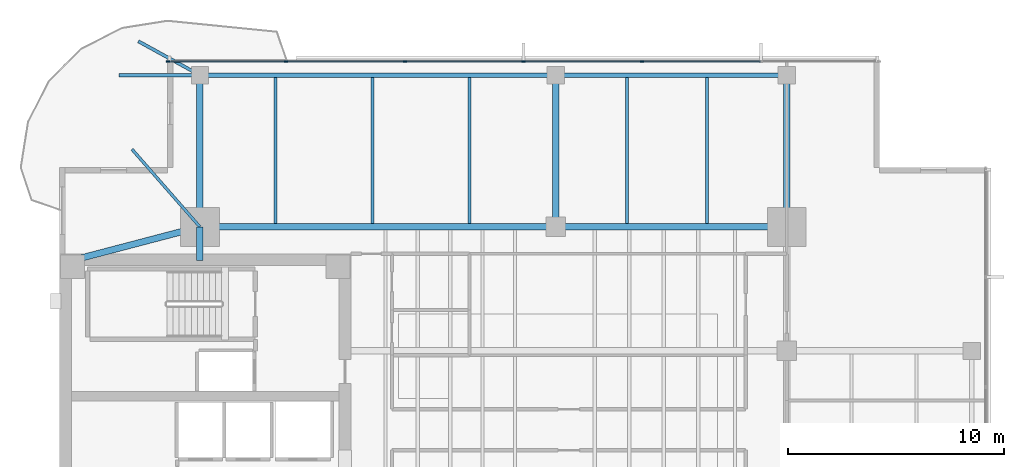
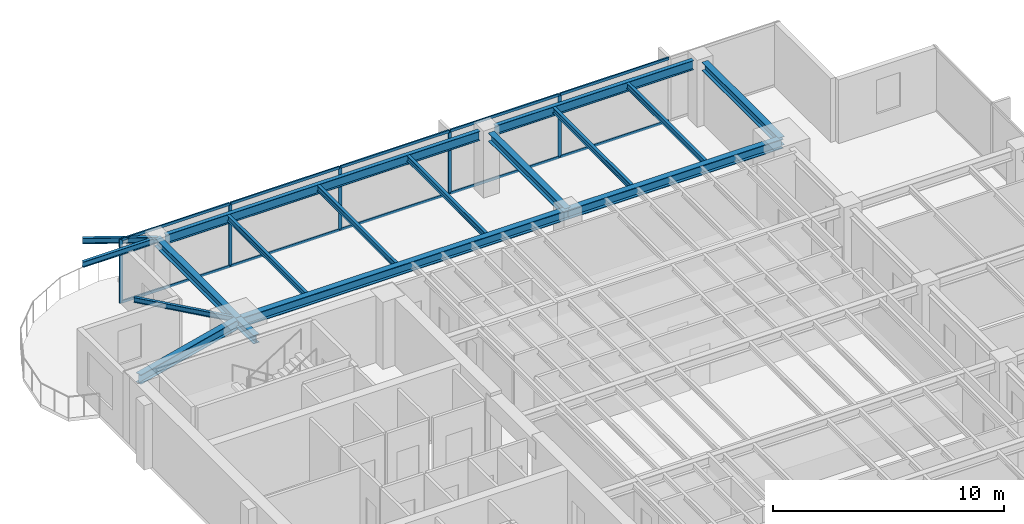
# One storey, part 5 of 14: 17 beams, 15 members, 1 element without a shape of its own.
"""IFC4 building model written with IfcOpenShell, lengths in metres."""

from ifc_helpers import new_model, si_unit, direction, frame, origin, origin_2d, place, context, subcontext, project, spatial, rectangle, i_section, extrude, material, layer, layer_set, material_profile, profile_set, type_object, element, aggregate, save


model = new_model("IFC4")

# Units and contexts
model_context = context("Model", 3, precision=1e-05, world=origin(), true_north=direction((0.0, 1.0)))
body_context = subcontext(model_context, "Body", "Model", "MODEL_VIEW")
ifc_project = project(units=[si_unit("LENGTHUNIT", "METRE"), si_unit("AREAUNIT", "SQUARE_METRE"), si_unit("VOLUMEUNIT", "CUBIC_METRE"), si_unit("PLANEANGLEUNIT", "RADIAN"), si_unit("MASSUNIT", "GRAM", prefix="KILO")], contexts=[model_context])

# Site, building, storey
site_placement = place(None, origin())
site = spatial("IfcSite", under=ifc_project, at=site_placement, CompositionType="ELEMENT")
building_placement = place(site_placement, origin())
building = spatial("IfcBuilding", under=site, at=building_placement, Name="Kinhvarn Gate Tower", CompositionType="ELEMENT")
storey_placement = place(building_placement, frame((0.0, 0.0, 205.800048828125)))
storey = spatial("IfcBuildingStorey", under=building, at=storey_placement, Name="L54", CompositionType="ELEMENT", Elevation=205.800048828125)

# Curtain wall, members
ifc_material_1 = material(Name="Anodised aluminium AW-6063", Category="aluminium")
ifc_layer = layer(ifc_material_1, 0.179931640625)
ifc_layer_set = layer_set([ifc_layer], Name="Anodised aluminium AW-6063")
curtain_wall_type = type_object("IfcCurtainWallType", Name="CW-SYS-3", PredefinedType="NOTDEFINED", material=ifc_layer_set)
curtain_wall_placement = place(storey_placement, origin())
curtain_wall = element("IfcCurtainWall", 1, at=curtain_wall_placement, inside=storey, type_object=curtain_wall_type, Name="Curtain Wall CW3 (L54)", PredefinedType="NOTDEFINED")
ifc_material_profile_1 = material_profile(ifc_material_1, rectangle(XDim=0.06494140625, YDim=0.159912109375, at=origin_2d()), Name="ALU 65x160")
ifc_profile_set_1 = profile_set([ifc_material_profile_1], Name="Anodised aluminium AW-6063")
member_type_1 = type_object("IfcMemberType", Name="CW-MUL-160", PredefinedType="MULLION", material=ifc_profile_set_1)
member_1_placement = place(storey_placement, frame((31.5, 45.409912109375, 0.0), z_axis=(0.0, 0.0, 1.0), x_axis=(0.0, -1.0, 0.0)))
member_1 = element("IfcMember", 2, at=member_1_placement, type_object=member_type_1, Name="CW3 mullion 3", PredefinedType="MULLION", context=body_context, shape_type="SweptSolid", body=[
    extrude(rectangle(XDim=0.06494140625, YDim=0.159912109375, at=origin_2d()), origin(), (0.0, 0.0, 1.0), 3.369873046875),
])
member_2_placement = place(storey_placement, frame((26.0, 45.409912109375, 0.0), z_axis=(0.0, 0.0, 1.0), x_axis=(0.0, -1.0, 0.0)))
member_2 = element("IfcMember", 3, at=member_2_placement, type_object=member_type_1, Name="CW3 mullion 4", PredefinedType="MULLION", context=body_context, shape_type="SweptSolid", body=[
    extrude(rectangle(XDim=0.06494140625, YDim=0.159912109375, at=origin_2d()), origin(), (0.0, 0.0, 1.0), 3.369873046875),
])
member_3_placement = place(storey_placement, frame((20.5, 45.409912109375, 0.0), z_axis=(0.0, 0.0, 1.0), x_axis=(0.0, -1.0, 0.0)))
member_3 = element("IfcMember", 4, at=member_3_placement, type_object=member_type_1, Name="CW3 mullion 5", PredefinedType="MULLION", context=body_context, shape_type="SweptSolid", body=[
    extrude(rectangle(XDim=0.06494140625, YDim=0.159912109375, at=origin_2d()), origin(), (0.0, 0.0, 1.0), 3.369873046875),
])
member_4_placement = place(storey_placement, frame((15.0, 45.409912109375, 0.0), z_axis=(0.0, 0.0, 1.0), x_axis=(0.0, -1.0, 0.0)))
member_4 = element("IfcMember", 5, at=member_4_placement, type_object=member_type_1, Name="CW3 mullion 6", PredefinedType="MULLION", context=body_context, shape_type="SweptSolid", body=[
    extrude(rectangle(XDim=0.06494140625, YDim=0.159912109375, at=origin_2d()), origin(), (0.0, 0.0, 1.0), 3.369873046875),
])
member_5_placement = place(storey_placement, frame((9.532470703125, 45.409912109375, 0.0), z_axis=(0.0, 0.0, 1.0), x_axis=(0.0, -1.0, 0.0)))
member_5 = element("IfcMember", 6, at=member_5_placement, type_object=member_type_1, Name="CW3 mullion 7", PredefinedType="MULLION", context=body_context, shape_type="SweptSolid", body=[
    extrude(rectangle(XDim=0.06494140625, YDim=0.159912109375, at=origin_2d()), origin(), (0.0, 0.0, 1.0), 3.369873046875),
])
ifc_material_profile_2 = material_profile(ifc_material_1, rectangle(XDim=0.070068359375, YDim=0.139892578125, at=origin_2d()), Name="ALU 70x140")
ifc_profile_set_2 = profile_set([ifc_material_profile_2], Name="Anodised aluminium AW-6063")
member_type_2 = type_object("IfcMemberType", Name="CW-TRN-140", PredefinedType="USERDEFINED", material=ifc_profile_set_2)
member_6_placement = place(storey_placement, frame((36.967529296875, 45.409912109375, 0.034912109375), z_axis=(-1.0, 0.0, 0.0), x_axis=(0.0, -1.0, 0.0)))
member_6 = element("IfcMember", 7, at=member_6_placement, type_object=member_type_2, Name="CW3 transom 2.1", ObjectType="TRANSOM", PredefinedType="USERDEFINED", context=body_context, shape_type="SweptSolid", body=[
    extrude(rectangle(XDim=0.070068359375, YDim=0.139892578125, at=origin_2d()), origin(), (0.0, 0.0, 1.0), 5.43505859375),
])
member_7_placement = place(storey_placement, frame((36.967529296875, 45.409912109375, 3.3349609375), z_axis=(-1.0, 0.0, 0.0), x_axis=(0.0, -1.0, 0.0)))
member_7 = element("IfcMember", 8, at=member_7_placement, type_object=member_type_2, Name="CW3 transom 2.2", ObjectType="TRANSOM", PredefinedType="USERDEFINED", context=body_context, shape_type="SweptSolid", body=[
    extrude(rectangle(XDim=0.070068359375, YDim=0.139892578125, at=origin_2d()), origin(), (0.0, 0.0, 1.0), 5.43505859375),
])
member_8_placement = place(storey_placement, frame((31.467529296875, 45.409912109375, 0.034912109375), z_axis=(-1.0, 0.0, 0.0), x_axis=(0.0, -1.0, 0.0)))
member_8 = element("IfcMember", 9, at=member_8_placement, type_object=member_type_2, Name="CW3 transom 3.1", ObjectType="TRANSOM", PredefinedType="USERDEFINED", context=body_context, shape_type="SweptSolid", body=[
    extrude(rectangle(XDim=0.070068359375, YDim=0.139892578125, at=origin_2d()), origin(), (0.0, 0.0, 1.0), 5.43505859375),
])
member_9_placement = place(storey_placement, frame((31.467529296875, 45.409912109375, 3.3349609375), z_axis=(-1.0, 0.0, 0.0), x_axis=(0.0, -1.0, 0.0)))
member_9 = element("IfcMember", 10, at=member_9_placement, type_object=member_type_2, Name="CW3 transom 3.2", ObjectType="TRANSOM", PredefinedType="USERDEFINED", context=body_context, shape_type="SweptSolid", body=[
    extrude(rectangle(XDim=0.070068359375, YDim=0.139892578125, at=origin_2d()), origin(), (0.0, 0.0, 1.0), 5.43505859375),
])
member_10_placement = place(storey_placement, frame((25.967529296875, 45.409912109375, 0.034912109375), z_axis=(-1.0, 0.0, 0.0), x_axis=(0.0, -1.0, 0.0)))
member_10 = element("IfcMember", 11, at=member_10_placement, type_object=member_type_2, Name="CW3 transom 4.1", ObjectType="TRANSOM", PredefinedType="USERDEFINED", context=body_context, shape_type="SweptSolid", body=[
    extrude(rectangle(XDim=0.070068359375, YDim=0.139892578125, at=origin_2d()), origin(), (0.0, 0.0, 1.0), 5.43505859375),
])
member_11_placement = place(storey_placement, frame((25.967529296875, 45.409912109375, 3.3349609375), z_axis=(-1.0, 0.0, 0.0), x_axis=(0.0, -1.0, 0.0)))
member_11 = element("IfcMember", 12, at=member_11_placement, type_object=member_type_2, Name="CW3 transom 4.2", ObjectType="TRANSOM", PredefinedType="USERDEFINED", context=body_context, shape_type="SweptSolid", body=[
    extrude(rectangle(XDim=0.070068359375, YDim=0.139892578125, at=origin_2d()), origin(), (0.0, 0.0, 1.0), 5.43505859375),
])
member_12_placement = place(storey_placement, frame((20.467529296875, 45.409912109375, 0.034912109375), z_axis=(-1.0, 0.0, 0.0), x_axis=(0.0, -1.0, 0.0)))
member_12 = element("IfcMember", 13, at=member_12_placement, type_object=member_type_2, Name="CW3 transom 5.1", ObjectType="TRANSOM", PredefinedType="USERDEFINED", context=body_context, shape_type="SweptSolid", body=[
    extrude(rectangle(XDim=0.070068359375, YDim=0.139892578125, at=origin_2d()), origin(), (0.0, 0.0, 1.0), 5.43505859375),
])
member_13_placement = place(storey_placement, frame((20.467529296875, 45.409912109375, 3.3349609375), z_axis=(-1.0, 0.0, 0.0), x_axis=(0.0, -1.0, 0.0)))
member_13 = element("IfcMember", 14, at=member_13_placement, type_object=member_type_2, Name="CW3 transom 5.2", ObjectType="TRANSOM", PredefinedType="USERDEFINED", context=body_context, shape_type="SweptSolid", body=[
    extrude(rectangle(XDim=0.070068359375, YDim=0.139892578125, at=origin_2d()), origin(), (0.0, 0.0, 1.0), 5.43505859375),
])
member_14_placement = place(storey_placement, frame((14.967529296875, 45.409912109375, 0.034912109375), z_axis=(-1.0, 0.0, 0.0), x_axis=(0.0, -1.0, 0.0)))
member_14 = element("IfcMember", 15, at=member_14_placement, type_object=member_type_2, Name="CW3 transom 6.1", ObjectType="TRANSOM", PredefinedType="USERDEFINED", context=body_context, shape_type="SweptSolid", body=[
    extrude(rectangle(XDim=0.070068359375, YDim=0.139892578125, at=origin_2d()), origin(), (0.0, 0.0, 1.0), 5.402587890625),
])
member_15_placement = place(storey_placement, frame((14.967529296875, 45.409912109375, 3.3349609375), z_axis=(-1.0, 0.0, 0.0), x_axis=(0.0, -1.0, 0.0)))
member_15 = element("IfcMember", 16, at=member_15_placement, type_object=member_type_2, Name="CW3 transom 6.2", ObjectType="TRANSOM", PredefinedType="USERDEFINED", context=body_context, shape_type="SweptSolid", body=[
    extrude(rectangle(XDim=0.070068359375, YDim=0.139892578125, at=origin_2d()), origin(), (0.0, 0.0, 1.0), 5.402587890625),
])
aggregate(curtain_wall, [member_1, member_2, member_3, member_4, member_5, member_6, member_7, member_8, member_9, member_10, member_11, member_12, member_13, member_14, member_15])

# Beams
ifc_material_2 = material(Name="Steel S355", Category="steel")
ifc_material_profile_3 = material_profile(ifc_material_2, i_section(OverallWidth=0.300048828125, OverallDepth=0.449951171875, WebThickness=0.013916015625, FlangeThickness=0.02587890625, at=origin_2d()), Name="HEB 450")
ifc_profile_set_3 = profile_set([ifc_material_profile_3], Name="Steel S355")
beam_type_1 = type_object("IfcBeamType", Name="STL-HEB450", PredefinedType="BEAM", material=ifc_profile_set_3)
beam_1_placement = place(storey_placement, frame((11.0, 36.199951171875, 3.14501953125), z_axis=(0.0, 1.0, 0.0), x_axis=(-1.0, 0.0, 0.0)))
element("IfcBeam", 17, at=beam_1_placement, inside=storey, type_object=beam_type_1, Name="Floor Beam PG-13 (L54 MCW-CN)", PredefinedType="BEAM", context=body_context, shape_type="SweptSolid", body=[
    extrude(i_section(OverallWidth=0.300048828125, OverallDepth=0.449951171875, WebThickness=0.013916015625, FlangeThickness=0.02587890625, at=origin_2d()), origin(), (0.0, 0.0, 1.0), 1.550048828125),
])
beam_2_placement = place(storey_placement, frame((11.0, 37.75, 3.14501953125), z_axis=(0.0, 1.0, 0.0), x_axis=(-1.0, 0.0, 0.0)))
element("IfcBeam", 18, at=beam_2_placement, inside=storey, type_object=beam_type_1, Name="Floor Beam PG-13 (L54 MCW-N)", PredefinedType="BEAM", context=body_context, shape_type="SweptSolid", body=[
    extrude(i_section(OverallWidth=0.300048828125, OverallDepth=0.449951171875, WebThickness=0.013916015625, FlangeThickness=0.02587890625, at=origin_2d()), origin(), (0.0, 0.0, 1.0), 7.030029296875),
])
for number, where, z_axis, x_axis, name in (
    (19, (27.5, 37.75, 3.14501953125), (0.0, 1.0, 0.0), (-1.0, 0.0, 0.0), "Floor Beam PG-13 (L54 SP27-N-TIE)"),
    (20, (38.199951171875, 37.75, 3.14501953125), (0.0, 1.0, 0.0), (-1.0, 0.0, 0.0), "Floor Beam PG-13 (L54 MCE-N)"),
):
    element("IfcBeam", number, at=place(storey_placement, frame(where, z_axis=z_axis, x_axis=x_axis)), inside=storey, type_object=beam_type_1, Name=name, PredefinedType="BEAM", context=body_context, shape_type="SweptSolid", body=[
        extrude(i_section(OverallWidth=0.300048828125, OverallDepth=0.449951171875, WebThickness=0.013916015625, FlangeThickness=0.02587890625, at=origin_2d()), origin(), (0.0, 0.0, 1.0), 6.64501953125),
    ])
ifc_material_profile_4 = material_profile(ifc_material_2, i_section(OverallWidth=0.300048828125, OverallDepth=0.5, WebThickness=0.014404296875, FlangeThickness=0.028076171875, at=origin_2d()), Name="HEB 500")
ifc_profile_set_4 = profile_set([ifc_material_profile_4], Name="Steel S355")
beam_type_2 = type_object("IfcBeamType", Name="STL-HEB500", PredefinedType="BEAM", material=ifc_profile_set_4)
beam_3_placement = place(storey_placement, frame((11.0, 37.75, 3.119873046875), z_axis=(1.0, 0.0, 0.0), x_axis=(0.0, 1.0, 0.0)))
element("IfcBeam", 21, at=beam_3_placement, inside=storey, type_object=beam_type_2, Name="Floor Beam PG-14 (L54 MG-N1)", PredefinedType="BEAM", context=body_context, shape_type="SweptSolid", body=[
    extrude(i_section(OverallWidth=0.300048828125, OverallDepth=0.5, WebThickness=0.014404296875, FlangeThickness=0.028076171875, at=origin_2d()), origin(), (0.0, 0.0, 1.0), 16.5),
])
beam_4_placement = place(storey_placement, frame((27.5, 37.75, 3.119873046875), z_axis=(1.0, 0.0, 0.0), x_axis=(0.0, 1.0, 0.0)))
element("IfcBeam", 22, at=beam_4_placement, inside=storey, type_object=beam_type_2, Name="Floor Beam PG-14 (L54 MG-N2)", PredefinedType="BEAM", context=body_context, shape_type="SweptSolid", body=[
    extrude(i_section(OverallWidth=0.300048828125, OverallDepth=0.5, WebThickness=0.014404296875, FlangeThickness=0.028076171875, at=origin_2d()), origin(), (0.0, 0.0, 1.0), 10.699951171875),
])
beam_5_placement = place(storey_placement, frame((5.10009765625, 36.199951171875, 3.119873046875), z_axis=(0.967177623957, 0.254101246979, 0.0), x_axis=(-0.254101246979, 0.967177623957, 0.0)))
element("IfcBeam", 23, at=beam_5_placement, inside=storey, type_object=beam_type_2, Name="Floor Beam PG-14 (L54 MG-NW-DIAG)", PredefinedType="BEAM", context=body_context, shape_type="SweptSolid", body=[
    extrude(i_section(OverallWidth=0.300048828125, OverallDepth=0.5, WebThickness=0.014404296875, FlangeThickness=0.028076171875, at=origin_2d()), origin(), (0.0, 0.0, 1.0), 6.10009765625),
])
ifc_material_profile_5 = material_profile(ifc_material_2, i_section(OverallWidth=0.135009765625, OverallDepth=0.27001953125, WebThickness=0.006591796875, FlangeThickness=0.01025390625, at=origin_2d()), Name="IPE 270")
ifc_profile_set_5 = profile_set([ifc_material_profile_5], Name="Steel S355")
beam_type_3 = type_object("IfcBeamType", Name="STL-IPE270", PredefinedType="JOIST", material=ifc_profile_set_5)
beam_6_placement = place(storey_placement, frame((11.0, 37.75, 3.23486328125), z_axis=(-0.658482928045, 0.752595664001, 0.0), x_axis=(-0.752595664001, -0.658482928045, 0.0)))
element("IfcBeam", 24, at=beam_6_placement, inside=storey, type_object=beam_type_3, Name="Floor Joist SB-01 (L54 BAL-B3-L55)", PredefinedType="JOIST", context=body_context, shape_type="SweptSolid", body=[
    extrude(i_section(OverallWidth=0.135009765625, OverallDepth=0.27001953125, WebThickness=0.006591796875, FlangeThickness=0.01025390625, at=origin_2d()), origin(), (0.0, 0.0, 1.0), 4.78369140625),
])
ifc_material_profile_6 = material_profile(ifc_material_2, i_section(OverallWidth=0.14990234375, OverallDepth=0.300048828125, WebThickness=0.007080078125, FlangeThickness=0.0107421875, at=origin_2d()), Name="IPE 300")
ifc_profile_set_6 = profile_set([ifc_material_profile_6], Name="Steel S355")
beam_type_4 = type_object("IfcBeamType", Name="STL-IPE300", PredefinedType="JOIST", material=ifc_profile_set_6)
for number, where, z_axis, x_axis, name in (
    (25, (14.5, 37.89990234375, 3.219970703125), (0.0, 1.0, 0.0), (-1.0, 0.0, 0.0), "Floor Joist SB-02 (L54 JN-X145)"),
    (26, (19.0, 37.89990234375, 3.219970703125), (0.0, 1.0, 0.0), (-1.0, 0.0, 0.0), "Floor Joist SB-02 (L54 JN-X190)"),
    (27, (23.5, 37.89990234375, 3.219970703125), (0.0, 1.0, 0.0), (-1.0, 0.0, 0.0), "Floor Joist SB-02 (L54 JN-X235)"),
    (28, (30.800048828125, 37.89990234375, 3.219970703125), (0.0, 1.0, 0.0), (-1.0, 0.0, 0.0), "Floor Joist SB-02 (L54 JN-X308)"),
    (29, (34.5, 37.89990234375, 3.219970703125), (0.0, 1.0, 0.0), (-1.0, 0.0, 0.0), "Floor Joist SB-02 (L54 JN-X345)"),
):
    element("IfcBeam", number, at=place(storey_placement, frame(where, z_axis=z_axis, x_axis=x_axis)), inside=storey, type_object=beam_type_4, Name=name, PredefinedType="JOIST", context=body_context, shape_type="SweptSolid", body=[
        extrude(i_section(OverallWidth=0.14990234375, OverallDepth=0.300048828125, WebThickness=0.007080078125, FlangeThickness=0.0107421875, at=origin_2d()), origin(), (0.0, 0.0, 1.0), 6.780029296875),
    ])
beam_7_placement = place(storey_placement, frame((11.0, 44.780029296875, 3.219970703125), z_axis=(-1.0, 0.0, 0.0), x_axis=(0.0, -1.0, 0.0)))
element("IfcBeam", 30, at=beam_7_placement, inside=storey, type_object=beam_type_4, Name="Floor Joist SB-02 (L54 BAL-B1-L55)", PredefinedType="JOIST", context=body_context, shape_type="SweptSolid", body=[
    extrude(i_section(OverallWidth=0.14990234375, OverallDepth=0.300048828125, WebThickness=0.007080078125, FlangeThickness=0.0107421875, at=origin_2d()), origin(), (0.0, 0.0, 1.0), 3.75),
])
beam_8_placement = place(storey_placement, frame((11.0, 44.780029296875, 3.219970703125), z_axis=(-0.875889381738, 0.482511959394, 0.0), x_axis=(-0.482511959394, -0.875889381738, 0.0)))
element("IfcBeam", 31, at=beam_8_placement, inside=storey, type_object=beam_type_4, Name="Floor Joist SB-02 (L54 BAL-B2-L55)", PredefinedType="JOIST", context=body_context, shape_type="SweptSolid", body=[
    extrude(i_section(OverallWidth=0.14990234375, OverallDepth=0.300048828125, WebThickness=0.007080078125, FlangeThickness=0.0107421875, at=origin_2d()), origin(), (0.0, 0.0, 1.0), 3.25390625),
])
ifc_material_profile_7 = material_profile(ifc_material_2, i_section(OverallWidth=0.199951171875, OverallDepth=0.5, WebThickness=0.01025390625, FlangeThickness=0.01611328125, at=origin_2d()), Name="IPE 500")
ifc_profile_set_7 = profile_set([ifc_material_profile_7], Name="Steel S355")
beam_type_5 = type_object("IfcBeamType", Name="STL-IPE500", PredefinedType="SPANDREL", material=ifc_profile_set_7)
beam_9_placement = place(storey_placement, frame((11.385009765625, 44.780029296875, 3.119873046875), z_axis=(1.0, 0.0, 0.0), x_axis=(0.0, 1.0, 0.0)))
element("IfcBeam", 32, at=beam_9_placement, inside=storey, type_object=beam_type_5, Name="Floor Spandrel SB-07 (L54 SP-N1)", PredefinedType="SPANDREL", context=body_context, shape_type="SweptSolid", body=[
    extrude(i_section(OverallWidth=0.199951171875, OverallDepth=0.5, WebThickness=0.01025390625, FlangeThickness=0.01611328125, at=origin_2d()), origin(), (0.0, 0.0, 1.0), 15.72998046875),
])
beam_10_placement = place(storey_placement, frame((27.885009765625, 44.780029296875, 3.119873046875), z_axis=(1.0, 0.0, 0.0), x_axis=(0.0, 1.0, 0.0)))
element("IfcBeam", 33, at=beam_10_placement, inside=storey, type_object=beam_type_5, Name="Floor Spandrel SB-07 (L54 SP-N2)", PredefinedType="SPANDREL", context=body_context, shape_type="SweptSolid", body=[
    extrude(i_section(OverallWidth=0.199951171875, OverallDepth=0.5, WebThickness=0.01025390625, FlangeThickness=0.01611328125, at=origin_2d()), origin(), (0.0, 0.0, 1.0), 9.929931640625),
])

save(model, "model.ifc")
